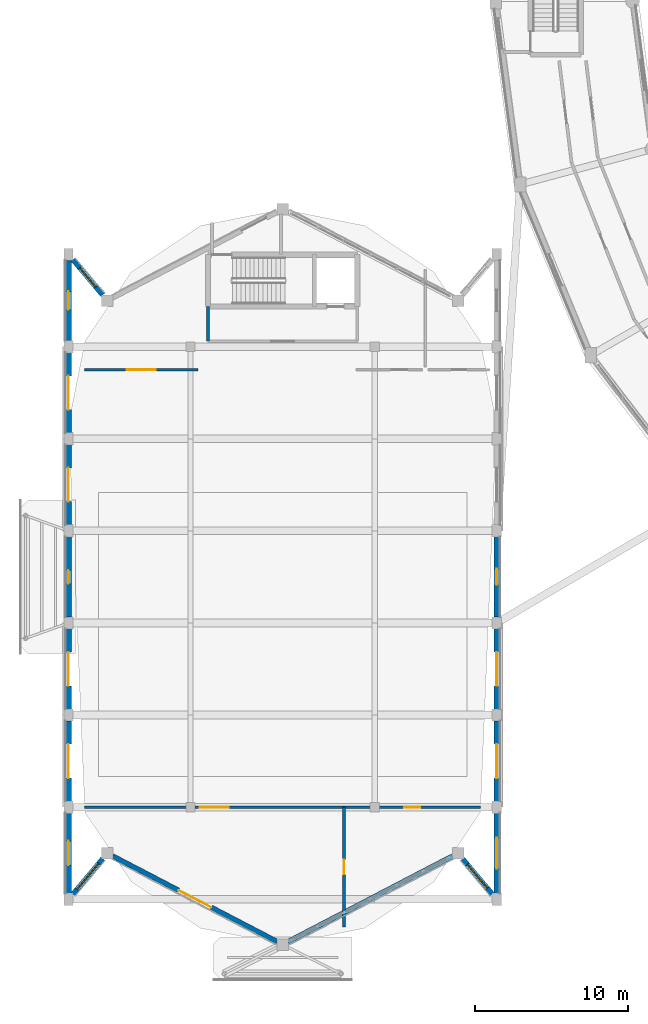
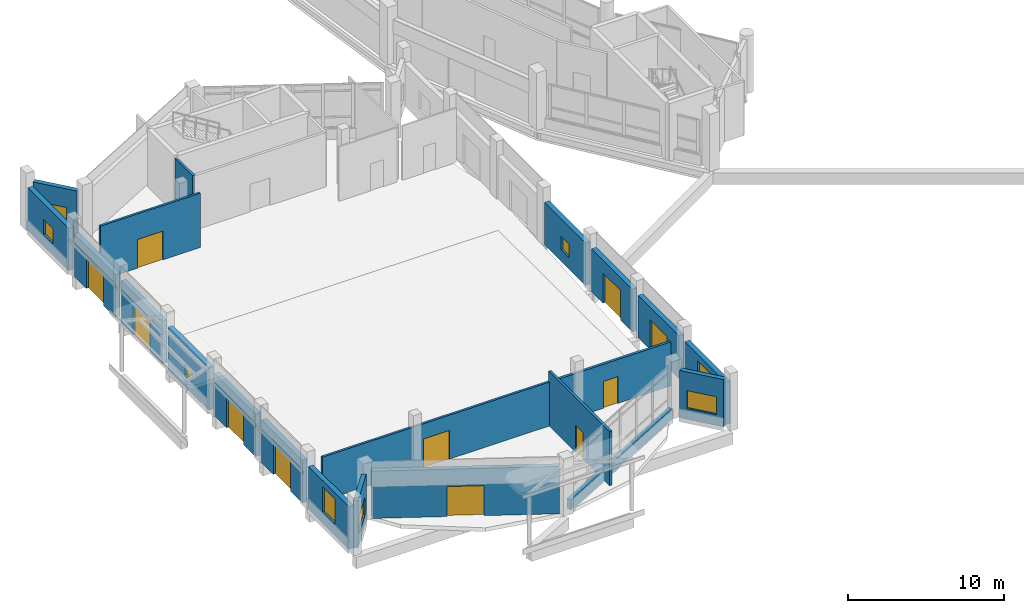
# One storey, part 105 of 129: 21 walls, 11 doors, 8 windows, 19 openings.
"""IFC4 building model written with IfcOpenShell, lengths in metres."""

from ifc_helpers import new_model, si_unit, direction, frame, frame_2d, origin, place, context, subcontext, project, spatial, rectangle, extrude, material, layer, layer_set, type_object, element, fill, save


model = new_model("IFC4")

# Units and contexts
model_context = context("Model", 3, precision=1e-05, world=origin(), true_north=direction((0.0, 1.0)))
body_context = subcontext(model_context, "Body", "Model", "MODEL_VIEW")
ifc_project = project(units=[si_unit("LENGTHUNIT", "METRE"), si_unit("AREAUNIT", "SQUARE_METRE"), si_unit("VOLUMEUNIT", "CUBIC_METRE"), si_unit("PLANEANGLEUNIT", "RADIAN"), si_unit("MASSUNIT", "GRAM", prefix="KILO")], contexts=[model_context])

# Site, building, storey
site_placement = place(None, origin())
site = spatial("IfcSite", under=ifc_project, at=site_placement, CompositionType="ELEMENT")
building_placement = place(site_placement, origin())
building = spatial("IfcBuilding", under=site, at=building_placement, Name="Vespera Passage Community Centre", CompositionType="ELEMENT")
storey_placement = place(building_placement, origin())
storey = spatial("IfcBuildingStorey", under=building, at=storey_placement, Name="L00", CompositionType="ELEMENT", Elevation=0.0)

# Wall
ifc_material_1 = material(Name="Gypsum board acoustic stud partition")
ifc_layer_1 = layer(ifc_material_1, 0.179931640625)
ifc_layer_set_1 = layer_set([ifc_layer_1], Name="Gypsum board acoustic stud partition")
wall_type_1 = type_object("IfcWallType", Name="WT-CORR-180I", PredefinedType="PARTITIONING", material=ifc_layer_set_1)
wall_1_placement = place(storey_placement, frame((13.135009765625, 45.610107421875, 0.0), z_axis=(0.0, 0.0, 1.0), x_axis=(0.0, -1.0, 0.0)))
element("IfcWall", 1, at=wall_1_placement, inside=storey, type_object=wall_type_1, Name="Core C5 L00 Lift Lobby Side Wall L", PredefinedType="PARTITIONING", context=body_context, shape_type="SweptSolid", body=[
    extrude(rectangle(XDim=2.25, YDim=0.179931640625, at=frame_2d((1.125, 0.0))), origin(), (0.0, 0.0, 1.0), 4.2548828125),
])

# Wall, opening, door
wall_2_placement = place(storey_placement, frame((22.0, 13.0, 0.0), z_axis=(0.0, 0.0, 1.0), x_axis=(1.0, 0.0, 0.0)))
wall_2 = element("IfcWall", 2, at=wall_2_placement, inside=storey, type_object=wall_type_1, Name="L00 Interior Partition V1-L00-FCR-N.1", PredefinedType="PARTITIONING", context=body_context, shape_type="SweptSolid", body=[
    extrude(rectangle(XDim=8.89990234375, YDim=0.179931640625, at=frame_2d((4.449951171875, 0.0))), origin(), (0.0, 0.0, 1.0), 3.445068359375),
])
opening_1_placement = place(wall_2_placement, frame((3.925048828125, 0.0, 0.0)))
opening_1 = element("IfcOpeningElement", 3, at=opening_1_placement, cuts=wall_2, Name="Opening DT-CORR-105", PredefinedType="OPENING", context=body_context, shape_type="SweptSolid", body=[
    extrude(rectangle(XDim=1.050048828125, YDim=2.10009765625, at=frame_2d((0.52490234375, 1.050048828125))), frame((0.0, 0.099853515625, 0.0), z_axis=(0.0, -1.0, 0.0), x_axis=(1.0, 0.0, 0.0)), (0.0, 0.0, 1.0), 0.199951171875),
])
ifc_material_2 = material(Name="Painted hollow-metal acoustic door", Category="steel")
door_type_1 = type_object("IfcDoorType", Name="DT-CORR-105", OperationType="NOTDEFINED", PredefinedType="DOOR", material=ifc_material_2)
door_1_placement = place(opening_1_placement, origin())
door_1 = element("IfcDoor", 4, at=door_1_placement, inside=storey, type_object=door_type_1, Name="L00 Interior Door D-330", OperationType="SINGLE_SWING_RIGHT", OverallHeight=2.10009765625, OverallWidth=1.050048828125, PredefinedType="DOOR", context=body_context, shape_type="SweptSolid", body=[
    extrude(rectangle(XDim=1.050048828125, YDim=2.10009765625, at=frame_2d((0.52490234375, 1.050048828125))), frame((0.0, 0.02490234375, 0.0), z_axis=(0.0, -1.0, 0.0), x_axis=(1.0, 0.0, 0.0)), (0.0, 0.0, 1.0), 0.050048828125),
])
fill(opening_1, door_1)

wall_3_placement = place(storey_placement, frame((22.0, 5.199951171875, 0.0), z_axis=(0.0, 0.0, 1.0), x_axis=(0.0, 1.0, 0.0)))
wall_3 = element("IfcWall", 5, at=wall_3_placement, inside=storey, type_object=wall_type_1, Name="L00 Interior Partition V1-L00-FCR-W.1", PredefinedType="PARTITIONING", context=body_context, shape_type="SweptSolid", body=[
    extrude(rectangle(XDim=7.800048828125, YDim=0.179931640625, at=frame_2d((3.89990234375, 0.0))), origin(), (0.0, 0.0, 1.0), 4.2548828125),
])
opening_2_placement = place(wall_3_placement, frame((3.425048828125, 0.0, 0.0)))
opening_2 = element("IfcOpeningElement", 6, at=opening_2_placement, cuts=wall_3, Name="Opening DT-CORR-95", PredefinedType="OPENING", context=body_context, shape_type="SweptSolid", body=[
    extrude(rectangle(XDim=0.949951171875, YDim=2.10009765625, at=frame_2d((0.47509765625, 1.050048828125))), frame((0.0, 0.099853515625, 0.0), z_axis=(0.0, -1.0, 0.0), x_axis=(1.0, 0.0, 0.0)), (0.0, 0.0, 1.0), 0.199951171875),
])
ifc_material_3 = material(Name="Painted hollow-metal acoustic door", Category="steel")
door_type_2 = type_object("IfcDoorType", Name="DT-CORR-95", OperationType="NOTDEFINED", PredefinedType="DOOR", material=ifc_material_3)
door_2_placement = place(opening_2_placement, origin())
door_2 = element("IfcDoor", 7, at=door_2_placement, inside=storey, type_object=door_type_2, Name="L00 Interior Door D-331", OperationType="SINGLE_SWING_LEFT", OverallHeight=2.10009765625, OverallWidth=0.949951171875, PredefinedType="DOOR", context=body_context, shape_type="SweptSolid", body=[
    extrude(rectangle(XDim=0.949951171875, YDim=2.10009765625, at=frame_2d((0.47509765625, 1.050048828125))), frame((0.0, 0.02490234375, 0.0), z_axis=(0.0, -1.0, 0.0), x_axis=(1.0, 0.0, 0.0)), (0.0, 0.0, 1.0), 0.050048828125),
])
fill(opening_2, door_2)

# Wall, opening, window
ifc_material_4 = material(Name="Precast concrete f'c 40 MPa", Category="concrete")
ifc_layer_2 = layer(ifc_material_4, 0.320068359375)
ifc_layer_set_2 = layer_set([ifc_layer_2], Name="Precast concrete f'c 40 MPa")
wall_type_2 = type_object("IfcWallType", Name="WT-EXT-320E", PredefinedType="STANDARD", material=ifc_layer_set_2)
wall_4_placement = place(storey_placement, frame((4.333984375, 48.66259765625, 0.0), z_axis=(0.0, 0.0, 1.0), x_axis=(0.643796278673, -0.765196936459, 0.0)))
wall_4 = element("IfcWall", 8, at=wall_4_placement, inside=storey, type_object=wall_type_2, Name="V1 L00 N Apse Wall 1", PredefinedType="STANDARD", context=body_context, shape_type="SweptSolid", body=[
    extrude(rectangle(XDim=3.012451171875, YDim=0.320068359375, at=frame_2d((1.50634765625, 0.0))), origin(), (0.0, 0.0, 1.0), 3.7099609375),
])
opening_3_placement = place(wall_4_placement, frame((0.706298828125, 0.0, 0.85009765625)))
opening_3 = element("IfcOpeningElement", 9, at=opening_3_placement, cuts=wall_4, Name="Opening WN-05E", PredefinedType="OPENING", context=body_context, shape_type="SweptSolid", body=[
    extrude(rectangle(XDim=1.60009765625, YDim=1.39990234375, at=frame_2d((0.800048828125, 0.699951171875))), frame((0.0, 0.170166015625, 0.0), z_axis=(0.0, -1.0, 0.0), x_axis=(1.0, 0.0, 0.0)), (0.0, 0.0, 1.0), 0.340087890625),
])
ifc_material_5 = material(Name="Low-E insulated vision glass", Category="glass")
window_type_1 = type_object("IfcWindowType", Name="WN-05E", PartitioningType="SINGLE_PANEL", PredefinedType="WINDOW", material=ifc_material_5)
window_1_placement = place(opening_3_placement, origin())
window_1 = element("IfcWindow", 10, at=window_1_placement, inside=storey, type_object=window_type_1, Name="Window WN-V1-L00-APN1", OverallHeight=1.39990234375, OverallWidth=1.60009765625, PartitioningType="SINGLE_PANEL", PredefinedType="WINDOW", context=body_context, shape_type="SweptSolid", body=[
    extrude(rectangle(XDim=1.60009765625, YDim=1.39990234375, at=frame_2d((0.800048828125, 0.699951171875))), frame((0.0, 0.030029296875, 0.0), z_axis=(0.0, -1.0, 0.0), x_axis=(1.0, 0.0, 0.0)), (0.0, 0.0, 1.0), 0.06005859375),
])
fill(opening_3, window_1)

wall_5_placement = place(storey_placement, frame((31.666015625, 7.33740234375, 0.0), z_axis=(0.0, 0.0, 1.0), x_axis=(-0.643796278673, 0.765196936459, 0.0)))
wall_5 = element("IfcWall", 11, at=wall_5_placement, inside=storey, type_object=wall_type_2, Name="V1 L00 S Apse Wall 1", PredefinedType="STANDARD", context=body_context, shape_type="SweptSolid", body=[
    extrude(rectangle(XDim=3.012451171875, YDim=0.320068359375, at=frame_2d((1.50634765625, 0.0))), origin(), (0.0, 0.0, 1.0), 3.7099609375),
])
opening_4_placement = place(wall_5_placement, frame((0.50634765625, 0.0, 0.85009765625)))
opening_4 = element("IfcOpeningElement", 12, at=opening_4_placement, cuts=wall_5, Name="Opening WN-07E", PredefinedType="OPENING", context=body_context, shape_type="SweptSolid", body=[
    extrude(rectangle(XDim=2.0, YDim=1.39990234375, at=frame_2d((1.0, 0.699951171875))), frame((0.0, 0.170166015625, 0.0), z_axis=(0.0, -1.0, 0.0), x_axis=(1.0, 0.0, 0.0)), (0.0, 0.0, 1.0), 0.340087890625),
])
ifc_material_6 = material(Name="Low-E insulated vision glass", Category="glass")
window_type_2 = type_object("IfcWindowType", Name="WN-07E", PartitioningType="SINGLE_PANEL", PredefinedType="WINDOW", material=ifc_material_6)
window_2_placement = place(opening_4_placement, origin())
window_2 = element("IfcWindow", 13, at=window_2_placement, inside=storey, type_object=window_type_2, Name="Window WN-V1-L00-APS1", OverallHeight=1.39990234375, OverallWidth=2.0, PartitioningType="SINGLE_PANEL", PredefinedType="WINDOW", context=body_context, shape_type="SweptSolid", body=[
    extrude(rectangle(XDim=2.0, YDim=1.39990234375, at=frame_2d((1.0, 0.699951171875))), frame((0.0, 0.030029296875, 0.0), z_axis=(0.0, -1.0, 0.0), x_axis=(1.0, 0.0, 0.0)), (0.0, 0.0, 1.0), 0.06005859375),
])
fill(opening_4, window_2)

# Wall
wall_6_placement = place(storey_placement, frame((29.074462890625, 9.81494140625, 0.0), z_axis=(0.0, 0.0, 1.0), x_axis=(-0.887012674584, -0.46174507591, 0.0)))
element("IfcWall", 14, at=wall_6_placement, inside=storey, type_object=wall_type_2, Name="V1 L00 S Apse Spandrel 2", PredefinedType="STANDARD", context=body_context, shape_type="SweptSolid", body=[
    extrude(rectangle(XDim=12.08740234375, YDim=0.320068359375, at=frame_2d((6.043701171875, 0.0))), origin(), (0.0, 0.0, 1.0), 0.800048828125),
])

# Wall, opening, door
wall_7_placement = place(storey_placement, frame((17.647216796875, 4.233642578125, 0.0), z_axis=(0.0, 0.0, 1.0), x_axis=(-0.887012674584, 0.46174507591, 0.0)))
wall_7 = element("IfcWall", 15, at=wall_7_placement, inside=storey, type_object=wall_type_2, Name="V1 L00 S Apse Wall 3", PredefinedType="STANDARD", context=body_context, shape_type="SweptSolid", body=[
    extrude(rectangle(XDim=12.08740234375, YDim=0.320068359375, at=frame_2d((6.043701171875, 0.0))), origin(), (0.0, 0.0, 1.0), 3.7099609375),
])
opening_5_placement = place(wall_7_placement, frame((4.843505859375, 0.0, 0.0)))
opening_5 = element("IfcOpeningElement", 16, at=opening_5_placement, cuts=wall_7, Name="Opening DT-E08", PredefinedType="OPENING", context=body_context, shape_type="SweptSolid", body=[
    extrude(rectangle(XDim=2.39990234375, YDim=2.35009765625, at=frame_2d((1.199951171875, 1.175048828125))), frame((0.0, 0.170166015625, 0.0), z_axis=(0.0, -1.0, 0.0), x_axis=(1.0, 0.0, 0.0)), (0.0, 0.0, 1.0), 0.340087890625),
])
ifc_material_7 = material(Name="Anodized aluminium 6063-T6", Category="aluminium")
door_type_3 = type_object("IfcDoorType", Name="DT-E08", OperationType="NOTDEFINED", PredefinedType="DOOR", material=ifc_material_7)
door_3_placement = place(opening_5_placement, origin())
door_3 = element("IfcDoor", 17, at=door_3_placement, inside=storey, type_object=door_type_3, Name="Main Hall South Foyer Exit Door", OperationType="SINGLE_SWING_LEFT", OverallHeight=2.35009765625, OverallWidth=2.39990234375, PredefinedType="DOOR", context=body_context, shape_type="SweptSolid", body=[
    extrude(rectangle(XDim=2.39990234375, YDim=2.35009765625, at=frame_2d((1.199951171875, 1.175048828125))), frame((0.0, 0.02490234375, 0.0), z_axis=(0.0, -1.0, 0.0), x_axis=(1.0, 0.0, 0.0)), (0.0, 0.0, 1.0), 0.050048828125),
])
fill(opening_5, door_3)

# Wall, opening, window
wall_8_placement = place(storey_placement, frame((6.2734375, 9.642578125, 0.0), z_axis=(0.0, 0.0, 1.0), x_axis=(-0.643796278673, -0.765196936459, 0.0)))
wall_8 = element("IfcWall", 18, at=wall_8_placement, inside=storey, type_object=wall_type_2, Name="V1 L00 S Apse Wall 4", PredefinedType="STANDARD", context=body_context, shape_type="SweptSolid", body=[
    extrude(rectangle(XDim=3.012451171875, YDim=0.320068359375, at=frame_2d((1.50634765625, 0.0))), origin(), (0.0, 0.0, 1.0), 3.7099609375),
])
opening_6_placement = place(wall_8_placement, frame((0.40625, 0.0, 0.85009765625)))
opening_6 = element("IfcOpeningElement", 19, at=opening_6_placement, cuts=wall_8, Name="Opening WN-08E", PredefinedType="OPENING", context=body_context, shape_type="SweptSolid", body=[
    extrude(rectangle(XDim=2.199951171875, YDim=1.39990234375, at=frame_2d((1.10009765625, 0.699951171875))), frame((0.0, 0.170166015625, 0.0), z_axis=(0.0, -1.0, 0.0), x_axis=(1.0, 0.0, 0.0)), (0.0, 0.0, 1.0), 0.340087890625),
])
ifc_material_8 = material(Name="Low-E insulated vision glass", Category="glass")
window_type_3 = type_object("IfcWindowType", Name="WN-08E", PartitioningType="SINGLE_PANEL", PredefinedType="WINDOW", material=ifc_material_8)
window_3_placement = place(opening_6_placement, origin())
window_3 = element("IfcWindow", 20, at=window_3_placement, inside=storey, type_object=window_type_3, Name="Window WN-V1-L00-APS4", OverallHeight=1.39990234375, OverallWidth=2.199951171875, PartitioningType="SINGLE_PANEL", PredefinedType="WINDOW", context=body_context, shape_type="SweptSolid", body=[
    extrude(rectangle(XDim=2.199951171875, YDim=1.39990234375, at=frame_2d((1.10009765625, 0.699951171875))), frame((0.0, 0.030029296875, 0.0), z_axis=(0.0, -1.0, 0.0), x_axis=(1.0, 0.0, 0.0)), (0.0, 0.0, 1.0), 0.06005859375),
])
fill(opening_6, window_3)

ifc_material_9 = material(Name="Precast concrete f'c 40 MPa", Category="concrete")
ifc_layer_3 = layer(ifc_material_9, 0.360107421875)
ifc_layer_set_3 = layer_set([ifc_layer_3], Name="Precast concrete f'c 40 MPa")
wall_type_3 = type_object("IfcWallType", Name="WT-EXT-360E", PredefinedType="STANDARD", material=ifc_layer_set_3)
wall_9_placement = place(storey_placement, frame((4.050048828125, 7.375, 0.0), z_axis=(0.0, 0.0, 1.0), x_axis=(0.0, 1.0, 0.0)))
wall_9 = element("IfcWall", 21, at=wall_9_placement, inside=storey, type_object=wall_type_3, Name="V1 L00 Facade Wall W1", PredefinedType="STANDARD", context=body_context, shape_type="SweptSolid", body=[
    extrude(rectangle(XDim=5.25, YDim=0.360107421875, at=frame_2d((2.625, 0.0))), origin(), (0.0, 0.0, 1.0), 3.344970703125),
])
opening_7_placement = place(wall_9_placement, frame((1.824951171875, 0.0, 0.89990234375)))
opening_7 = element("IfcOpeningElement", 22, at=opening_7_placement, cuts=wall_9, Name="Opening WN-26E", PredefinedType="OPENING", context=body_context, shape_type="SweptSolid", body=[
    extrude(rectangle(XDim=1.60009765625, YDim=1.949951171875, at=frame_2d((0.800048828125, 0.97509765625))), frame((0.0, 0.190185546875, 0.0), z_axis=(0.0, -1.0, 0.0), x_axis=(1.0, 0.0, 0.0)), (0.0, 0.0, 1.0), 0.380126953125),
])
ifc_material_10 = material(Name="Low-E insulated vision glass", Category="glass")
window_type_4 = type_object("IfcWindowType", Name="WN-26E", PartitioningType="SINGLE_PANEL", PredefinedType="WINDOW", material=ifc_material_10)
window_4_placement = place(opening_7_placement, origin())
window_4 = element("IfcWindow", 23, at=window_4_placement, inside=storey, type_object=window_type_4, Name="Window WN-V1-L00-W1", OverallHeight=1.949951171875, OverallWidth=1.60009765625, PartitioningType="SINGLE_PANEL", PredefinedType="WINDOW", context=body_context, shape_type="SweptSolid", body=[
    extrude(rectangle(XDim=1.60009765625, YDim=1.949951171875, at=frame_2d((0.800048828125, 0.97509765625))), frame((0.0, 0.030029296875, 0.0), z_axis=(0.0, -1.0, 0.0), x_axis=(1.0, 0.0, 0.0)), (0.0, 0.0, 1.0), 0.06005859375),
])
fill(opening_7, window_4)

wall_10_placement = place(storey_placement, frame((31.949951171875, 12.625, 0.0), z_axis=(0.0, 0.0, 1.0), x_axis=(0.0, -1.0, 0.0)))
wall_10 = element("IfcWall", 24, at=wall_10_placement, inside=storey, type_object=wall_type_3, Name="V1 L00 Facade Wall E1", PredefinedType="STANDARD", context=body_context, shape_type="SweptSolid", body=[
    extrude(rectangle(XDim=5.25, YDim=0.360107421875, at=frame_2d((2.625, 0.0))), origin(), (0.0, 0.0, 1.0), 3.344970703125),
])
opening_8_placement = place(wall_10_placement, frame((1.625, 0.0, 0.89990234375)))
opening_8 = element("IfcOpeningElement", 25, at=opening_8_placement, cuts=wall_10, Name="Opening WN-27E", PredefinedType="OPENING", context=body_context, shape_type="SweptSolid", body=[
    extrude(rectangle(XDim=2.0, YDim=1.949951171875, at=frame_2d((1.0, 0.97509765625))), frame((0.0, 0.190185546875, 0.0), z_axis=(0.0, -1.0, 0.0), x_axis=(1.0, 0.0, 0.0)), (0.0, 0.0, 1.0), 0.380126953125),
])
ifc_material_11 = material(Name="Low-E insulated vision glass", Category="glass")
window_type_5 = type_object("IfcWindowType", Name="WN-27E", PartitioningType="SINGLE_PANEL", PredefinedType="WINDOW", material=ifc_material_11)
window_5_placement = place(opening_8_placement, origin())
window_5 = element("IfcWindow", 26, at=window_5_placement, inside=storey, type_object=window_type_5, Name="Window WN-V1-L00-E1", OverallHeight=1.949951171875, OverallWidth=2.0, PartitioningType="SINGLE_PANEL", PredefinedType="WINDOW", context=body_context, shape_type="SweptSolid", body=[
    extrude(rectangle(XDim=2.0, YDim=1.949951171875, at=frame_2d((1.0, 0.97509765625))), frame((0.0, 0.030029296875, 0.0), z_axis=(0.0, -1.0, 0.0), x_axis=(1.0, 0.0, 0.0)), (0.0, 0.0, 1.0), 0.06005859375),
])
fill(opening_8, window_5)

# Wall, opening, door
wall_11_placement = place(storey_placement, frame((4.050048828125, 13.375, 0.0), z_axis=(0.0, 0.0, 1.0), x_axis=(0.0, 1.0, 0.0)))
wall_11 = element("IfcWall", 27, at=wall_11_placement, inside=storey, type_object=wall_type_3, Name="V1 L00 Facade Wall W2", PredefinedType="STANDARD", context=body_context, shape_type="SweptSolid", body=[
    extrude(rectangle(XDim=5.25, YDim=0.360107421875, at=frame_2d((2.625, 0.0))), origin(), (0.0, 0.0, 1.0), 3.344970703125),
])
opening_9_placement = place(wall_11_placement, frame((1.52490234375, 0.0, 0.0)))
opening_9 = element("IfcOpeningElement", 28, at=opening_9_placement, cuts=wall_11, Name="Opening DT-E07", PredefinedType="OPENING", context=body_context, shape_type="SweptSolid", body=[
    extrude(rectangle(XDim=2.199951171875, YDim=2.35009765625, at=frame_2d((1.10009765625, 1.175048828125))), frame((0.0, 0.190185546875, 0.0), z_axis=(0.0, -1.0, 0.0), x_axis=(1.0, 0.0, 0.0)), (0.0, 0.0, 1.0), 0.380126953125),
])
ifc_material_12 = material(Name="Anodized aluminium 6063-T6", Category="aluminium")
door_type_4 = type_object("IfcDoorType", Name="DT-E07", OperationType="NOTDEFINED", PredefinedType="DOOR", material=ifc_material_12)
door_4_placement = place(opening_9_placement, origin())
door_4 = element("IfcDoor", 29, at=door_4_placement, inside=storey, type_object=door_type_4, Name="Main Hall Exit Door W2", OperationType="SINGLE_SWING_RIGHT", OverallHeight=2.35009765625, OverallWidth=2.199951171875, PredefinedType="DOOR", context=body_context, shape_type="SweptSolid", body=[
    extrude(rectangle(XDim=2.199951171875, YDim=2.35009765625, at=frame_2d((1.10009765625, 1.175048828125))), frame((0.0, 0.02490234375, 0.0), z_axis=(0.0, -1.0, 0.0), x_axis=(1.0, 0.0, 0.0)), (0.0, 0.0, 1.0), 0.050048828125),
])
fill(opening_9, door_4)

wall_12_placement = place(storey_placement, frame((31.949951171875, 18.625, 0.0), z_axis=(0.0, 0.0, 1.0), x_axis=(0.0, -1.0, 0.0)))
wall_12 = element("IfcWall", 30, at=wall_12_placement, inside=storey, type_object=wall_type_3, Name="V1 L00 Facade Wall E2", PredefinedType="STANDARD", context=body_context, shape_type="SweptSolid", body=[
    extrude(rectangle(XDim=5.25, YDim=0.360107421875, at=frame_2d((2.625, 0.0))), origin(), (0.0, 0.0, 1.0), 3.344970703125),
])
opening_10_placement = place(wall_12_placement, frame((1.52490234375, 0.0, 0.0)))
opening_10 = element("IfcOpeningElement", 31, at=opening_10_placement, cuts=wall_12, Name="Opening DT-E07", PredefinedType="OPENING", context=body_context, shape_type="SweptSolid", body=[
    extrude(rectangle(XDim=2.199951171875, YDim=2.35009765625, at=frame_2d((1.10009765625, 1.175048828125))), frame((0.0, 0.190185546875, 0.0), z_axis=(0.0, -1.0, 0.0), x_axis=(1.0, 0.0, 0.0)), (0.0, 0.0, 1.0), 0.380126953125),
])
door_5_placement = place(opening_10_placement, origin())
door_5 = element("IfcDoor", 32, at=door_5_placement, inside=storey, type_object=door_type_4, Name="Main Hall Exit Door E2", OperationType="SINGLE_SWING_LEFT", OverallHeight=2.35009765625, OverallWidth=2.199951171875, PredefinedType="DOOR", context=body_context, shape_type="SweptSolid", body=[
    extrude(rectangle(XDim=2.199951171875, YDim=2.35009765625, at=frame_2d((1.10009765625, 1.175048828125))), frame((0.0, 0.02490234375, 0.0), z_axis=(0.0, -1.0, 0.0), x_axis=(1.0, 0.0, 0.0)), (0.0, 0.0, 1.0), 0.050048828125),
])
fill(opening_10, door_5)

wall_13_placement = place(storey_placement, frame((4.050048828125, 19.375, 0.0), z_axis=(0.0, 0.0, 1.0), x_axis=(0.0, 1.0, 0.0)))
wall_13 = element("IfcWall", 33, at=wall_13_placement, inside=storey, type_object=wall_type_3, Name="V1 L00 Facade Wall W3", PredefinedType="STANDARD", context=body_context, shape_type="SweptSolid", body=[
    extrude(rectangle(XDim=5.25, YDim=0.360107421875, at=frame_2d((2.625, 0.0))), origin(), (0.0, 0.0, 1.0), 3.344970703125),
])
opening_11_placement = place(wall_13_placement, frame((1.52490234375, 0.0, 0.0)))
opening_11 = element("IfcOpeningElement", 34, at=opening_11_placement, cuts=wall_13, Name="Opening DT-E07", PredefinedType="OPENING", context=body_context, shape_type="SweptSolid", body=[
    extrude(rectangle(XDim=2.199951171875, YDim=2.35009765625, at=frame_2d((1.10009765625, 1.175048828125))), frame((0.0, 0.190185546875, 0.0), z_axis=(0.0, -1.0, 0.0), x_axis=(1.0, 0.0, 0.0)), (0.0, 0.0, 1.0), 0.380126953125),
])
door_6_placement = place(opening_11_placement, origin())
door_6 = element("IfcDoor", 35, at=door_6_placement, inside=storey, type_object=door_type_4, Name="Main Hall Exit Door W3", OperationType="SINGLE_SWING_RIGHT", OverallHeight=2.35009765625, OverallWidth=2.199951171875, PredefinedType="DOOR", context=body_context, shape_type="SweptSolid", body=[
    extrude(rectangle(XDim=2.199951171875, YDim=2.35009765625, at=frame_2d((1.10009765625, 1.175048828125))), frame((0.0, 0.02490234375, 0.0), z_axis=(0.0, -1.0, 0.0), x_axis=(1.0, 0.0, 0.0)), (0.0, 0.0, 1.0), 0.050048828125),
])
fill(opening_11, door_6)

wall_14_placement = place(storey_placement, frame((31.949951171875, 24.625, 0.0), z_axis=(0.0, 0.0, 1.0), x_axis=(0.0, -1.0, 0.0)))
wall_14 = element("IfcWall", 36, at=wall_14_placement, inside=storey, type_object=wall_type_3, Name="V1 L00 Facade Wall E3", PredefinedType="STANDARD", context=body_context, shape_type="SweptSolid", body=[
    extrude(rectangle(XDim=5.25, YDim=0.360107421875, at=frame_2d((2.625, 0.0))), origin(), (0.0, 0.0, 1.0), 3.344970703125),
])
opening_12_placement = place(wall_14_placement, frame((1.52490234375, 0.0, 0.0)))
opening_12 = element("IfcOpeningElement", 37, at=opening_12_placement, cuts=wall_14, Name="Opening DT-E07", PredefinedType="OPENING", context=body_context, shape_type="SweptSolid", body=[
    extrude(rectangle(XDim=2.199951171875, YDim=2.35009765625, at=frame_2d((1.10009765625, 1.175048828125))), frame((0.0, 0.190185546875, 0.0), z_axis=(0.0, -1.0, 0.0), x_axis=(1.0, 0.0, 0.0)), (0.0, 0.0, 1.0), 0.380126953125),
])
door_7_placement = place(opening_12_placement, origin())
door_7 = element("IfcDoor", 38, at=door_7_placement, inside=storey, type_object=door_type_4, Name="Main Hall Exit Door E3", OperationType="SINGLE_SWING_LEFT", OverallHeight=2.35009765625, OverallWidth=2.199951171875, PredefinedType="DOOR", context=body_context, shape_type="SweptSolid", body=[
    extrude(rectangle(XDim=2.199951171875, YDim=2.35009765625, at=frame_2d((1.10009765625, 1.175048828125))), frame((0.0, 0.02490234375, 0.0), z_axis=(0.0, -1.0, 0.0), x_axis=(1.0, 0.0, 0.0)), (0.0, 0.0, 1.0), 0.050048828125),
])
fill(opening_12, door_7)

# Wall, opening, window
wall_15_placement = place(storey_placement, frame((4.050048828125, 25.375, 0.0), z_axis=(0.0, 0.0, 1.0), x_axis=(0.0, 1.0, 0.0)))
wall_15 = element("IfcWall", 39, at=wall_15_placement, inside=storey, type_object=wall_type_3, Name="V1 L00 Facade Wall W4", PredefinedType="STANDARD", context=body_context, shape_type="SweptSolid", body=[
    extrude(rectangle(XDim=5.25, YDim=0.360107421875, at=frame_2d((2.625, 0.0))), origin(), (0.0, 0.0, 1.0), 3.344970703125),
])
opening_13_placement = place(wall_15_placement, frame((2.175048828125, 0.0, 0.89990234375)))
opening_13 = element("IfcOpeningElement", 40, at=opening_13_placement, cuts=wall_15, Name="Opening WN-01E", PredefinedType="OPENING", context=body_context, shape_type="SweptSolid", body=[
    extrude(rectangle(XDim=0.89990234375, YDim=0.89990234375, at=frame_2d((0.449951171875, 0.449951171875))), frame((0.0, 0.190185546875, 0.0), z_axis=(0.0, -1.0, 0.0), x_axis=(1.0, 0.0, 0.0)), (0.0, 0.0, 1.0), 0.380126953125),
])
ifc_material_13 = material(Name="Low-E insulated vision glass", Category="glass")
window_type_6 = type_object("IfcWindowType", Name="WN-01E", PartitioningType="SINGLE_PANEL", PredefinedType="WINDOW", material=ifc_material_13)
window_6_placement = place(opening_13_placement, origin())
window_6 = element("IfcWindow", 41, at=window_6_placement, inside=storey, type_object=window_type_6, Name="Window WN-V1-L00-W4", OverallHeight=0.89990234375, OverallWidth=0.89990234375, PartitioningType="SINGLE_PANEL", PredefinedType="WINDOW", context=body_context, shape_type="SweptSolid", body=[
    extrude(rectangle(XDim=0.89990234375, YDim=0.89990234375, at=frame_2d((0.449951171875, 0.449951171875))), frame((0.0, 0.030029296875, 0.0), z_axis=(0.0, -1.0, 0.0), x_axis=(1.0, 0.0, 0.0)), (0.0, 0.0, 1.0), 0.06005859375),
])
fill(opening_13, window_6)

wall_16_placement = place(storey_placement, frame((31.949951171875, 30.625, 0.0), z_axis=(0.0, 0.0, 1.0), x_axis=(0.0, -1.0, 0.0)))
wall_16 = element("IfcWall", 42, at=wall_16_placement, inside=storey, type_object=wall_type_3, Name="V1 L00 Facade Wall E4", PredefinedType="STANDARD", context=body_context, shape_type="SweptSolid", body=[
    extrude(rectangle(XDim=5.25, YDim=0.360107421875, at=frame_2d((2.625, 0.0))), origin(), (0.0, 0.0, 1.0), 3.344970703125),
])
opening_14_placement = place(wall_16_placement, frame((2.10009765625, 0.0, 0.89990234375)))
opening_14 = element("IfcOpeningElement", 43, at=opening_14_placement, cuts=wall_16, Name="Opening WN-02E", PredefinedType="OPENING", context=body_context, shape_type="SweptSolid", body=[
    extrude(rectangle(XDim=1.050048828125, YDim=1.050048828125, at=frame_2d((0.52490234375, 0.52490234375))), frame((0.0, 0.190185546875, 0.0), z_axis=(0.0, -1.0, 0.0), x_axis=(1.0, 0.0, 0.0)), (0.0, 0.0, 1.0), 0.380126953125),
])
ifc_material_14 = material(Name="Low-E insulated vision glass", Category="glass")
window_type_7 = type_object("IfcWindowType", Name="WN-02E", PartitioningType="SINGLE_PANEL", PredefinedType="WINDOW", material=ifc_material_14)
window_7_placement = place(opening_14_placement, origin())
window_7 = element("IfcWindow", 44, at=window_7_placement, inside=storey, type_object=window_type_7, Name="Window WN-V1-L00-E4", OverallHeight=1.050048828125, OverallWidth=1.050048828125, PartitioningType="SINGLE_PANEL", PredefinedType="WINDOW", context=body_context, shape_type="SweptSolid", body=[
    extrude(rectangle(XDim=1.050048828125, YDim=1.050048828125, at=frame_2d((0.52490234375, 0.52490234375))), frame((0.0, 0.030029296875, 0.0), z_axis=(0.0, -1.0, 0.0), x_axis=(1.0, 0.0, 0.0)), (0.0, 0.0, 1.0), 0.06005859375),
])
fill(opening_14, window_7)

# Wall, opening, door
wall_17_placement = place(storey_placement, frame((4.050048828125, 31.375, 0.0), z_axis=(0.0, 0.0, 1.0), x_axis=(0.0, 1.0, 0.0)))
wall_17 = element("IfcWall", 45, at=wall_17_placement, inside=storey, type_object=wall_type_3, Name="V1 L00 Facade Wall W5", PredefinedType="STANDARD", context=body_context, shape_type="SweptSolid", body=[
    extrude(rectangle(XDim=5.25, YDim=0.360107421875, at=frame_2d((2.625, 0.0))), origin(), (0.0, 0.0, 1.0), 3.344970703125),
])
opening_15_placement = place(wall_17_placement, frame((1.52490234375, 0.0, 0.0)))
opening_15 = element("IfcOpeningElement", 46, at=opening_15_placement, cuts=wall_17, Name="Opening DT-E07", PredefinedType="OPENING", context=body_context, shape_type="SweptSolid", body=[
    extrude(rectangle(XDim=2.199951171875, YDim=2.35009765625, at=frame_2d((1.10009765625, 1.175048828125))), frame((0.0, 0.190185546875, 0.0), z_axis=(0.0, -1.0, 0.0), x_axis=(1.0, 0.0, 0.0)), (0.0, 0.0, 1.0), 0.380126953125),
])
door_8_placement = place(opening_15_placement, origin())
door_8 = element("IfcDoor", 47, at=door_8_placement, inside=storey, type_object=door_type_4, Name="Main Hall Exit Door W5", OperationType="SINGLE_SWING_RIGHT", OverallHeight=2.35009765625, OverallWidth=2.199951171875, PredefinedType="DOOR", context=body_context, shape_type="SweptSolid", body=[
    extrude(rectangle(XDim=2.199951171875, YDim=2.35009765625, at=frame_2d((1.10009765625, 1.175048828125))), frame((0.0, 0.02490234375, 0.0), z_axis=(0.0, -1.0, 0.0), x_axis=(1.0, 0.0, 0.0)), (0.0, 0.0, 1.0), 0.050048828125),
])
fill(opening_15, door_8)

wall_18_placement = place(storey_placement, frame((4.050048828125, 37.375, 0.0), z_axis=(0.0, 0.0, 1.0), x_axis=(0.0, 1.0, 0.0)))
wall_18 = element("IfcWall", 48, at=wall_18_placement, inside=storey, type_object=wall_type_3, Name="V1 L00 Facade Wall W6", PredefinedType="STANDARD", context=body_context, shape_type="SweptSolid", body=[
    extrude(rectangle(XDim=5.25, YDim=0.360107421875, at=frame_2d((2.625, 0.0))), origin(), (0.0, 0.0, 1.0), 3.344970703125),
])
opening_16_placement = place(wall_18_placement, frame((1.52490234375, 0.0, 0.0)))
opening_16 = element("IfcOpeningElement", 49, at=opening_16_placement, cuts=wall_18, Name="Opening DT-E07", PredefinedType="OPENING", context=body_context, shape_type="SweptSolid", body=[
    extrude(rectangle(XDim=2.199951171875, YDim=2.35009765625, at=frame_2d((1.10009765625, 1.175048828125))), frame((0.0, 0.190185546875, 0.0), z_axis=(0.0, -1.0, 0.0), x_axis=(1.0, 0.0, 0.0)), (0.0, 0.0, 1.0), 0.380126953125),
])
door_9_placement = place(opening_16_placement, origin())
door_9 = element("IfcDoor", 50, at=door_9_placement, inside=storey, type_object=door_type_4, Name="Main Hall Exit Door W6", OperationType="SINGLE_SWING_RIGHT", OverallHeight=2.35009765625, OverallWidth=2.199951171875, PredefinedType="DOOR", context=body_context, shape_type="SweptSolid", body=[
    extrude(rectangle(XDim=2.199951171875, YDim=2.35009765625, at=frame_2d((1.10009765625, 1.175048828125))), frame((0.0, 0.02490234375, 0.0), z_axis=(0.0, -1.0, 0.0), x_axis=(1.0, 0.0, 0.0)), (0.0, 0.0, 1.0), 0.050048828125),
])
fill(opening_16, door_9)

# Wall, opening, window
wall_19_placement = place(storey_placement, frame((4.050048828125, 43.375, 0.0), z_axis=(0.0, 0.0, 1.0), x_axis=(0.0, 1.0, 0.0)))
wall_19 = element("IfcWall", 51, at=wall_19_placement, inside=storey, type_object=wall_type_3, Name="V1 L00 Facade Wall W7", PredefinedType="STANDARD", context=body_context, shape_type="SweptSolid", body=[
    extrude(rectangle(XDim=5.25, YDim=0.360107421875, at=frame_2d((2.625, 0.0))), origin(), (0.0, 0.0, 1.0), 3.344970703125),
])
opening_17_placement = place(wall_19_placement, frame((2.02490234375, 0.0, 0.89990234375)))
opening_17 = element("IfcOpeningElement", 52, at=opening_17_placement, cuts=wall_19, Name="Opening WN-03E", PredefinedType="OPENING", context=body_context, shape_type="SweptSolid", body=[
    extrude(rectangle(XDim=1.199951171875, YDim=1.199951171875, at=frame_2d((0.60009765625, 0.60009765625))), frame((0.0, 0.190185546875, 0.0), z_axis=(0.0, -1.0, 0.0), x_axis=(1.0, 0.0, 0.0)), (0.0, 0.0, 1.0), 0.380126953125),
])
ifc_material_15 = material(Name="Low-E insulated vision glass", Category="glass")
window_type_8 = type_object("IfcWindowType", Name="WN-03E", PartitioningType="SINGLE_PANEL", PredefinedType="WINDOW", material=ifc_material_15)
window_8_placement = place(opening_17_placement, origin())
window_8 = element("IfcWindow", 53, at=window_8_placement, inside=storey, type_object=window_type_8, Name="Window WN-V1-L00-W7", OverallHeight=1.199951171875, OverallWidth=1.199951171875, PartitioningType="SINGLE_PANEL", PredefinedType="WINDOW", context=body_context, shape_type="SweptSolid", body=[
    extrude(rectangle(XDim=1.199951171875, YDim=1.199951171875, at=frame_2d((0.60009765625, 0.60009765625))), frame((0.0, 0.030029296875, 0.0), z_axis=(0.0, -1.0, 0.0), x_axis=(1.0, 0.0, 0.0)), (0.0, 0.0, 1.0), 0.06005859375),
])
fill(opening_17, window_8)

# Wall, opening, door
ifc_material_16 = material(Name="Gypsum board acoustic stud partition")
ifc_layer_4 = layer(ifc_material_16, 0.159912109375)
ifc_layer_set_4 = layer_set([ifc_layer_4], Name="Gypsum board acoustic stud partition")
wall_type_4 = type_object("IfcWallType", Name="WT-STC-160I", PredefinedType="PARTITIONING", material=ifc_layer_set_4)
wall_20_placement = place(storey_placement, frame((5.10009765625, 13.0, 0.0), z_axis=(0.0, 0.0, 1.0), x_axis=(1.0, 0.0, 0.0)))
wall_20 = element("IfcWall", 54, at=wall_20_placement, inside=storey, type_object=wall_type_4, Name="L00 Interior Partition V1-L00-FOYER.1", PredefinedType="PARTITIONING", context=body_context, shape_type="SweptSolid", body=[
    extrude(rectangle(XDim=16.89990234375, YDim=0.159912109375, at=frame_2d((8.449951171875, 0.0))), origin(), (0.0, 0.0, 1.0), 3.445068359375),
])
opening_18_placement = place(wall_20_placement, frame((7.5, 0.0, 0.0)))
opening_18 = element("IfcOpeningElement", 55, at=opening_18_placement, cuts=wall_20, Name="Opening DT-HALL-190", PredefinedType="OPENING", context=body_context, shape_type="SweptSolid", body=[
    extrude(rectangle(XDim=1.89990234375, YDim=2.25, at=frame_2d((0.949951171875, 1.125))), frame((0.0, 0.090087890625, 0.0), z_axis=(0.0, -1.0, 0.0), x_axis=(1.0, 0.0, 0.0)), (0.0, 0.0, 1.0), 0.179931640625),
])
ifc_material_17 = material(Name="Painted hollow-metal acoustic door", Category="steel")
door_type_5 = type_object("IfcDoorType", Name="DT-HALL-190", OperationType="NOTDEFINED", PredefinedType="DOOR", material=ifc_material_17)
door_10_placement = place(opening_18_placement, origin())
door_10 = element("IfcDoor", 56, at=door_10_placement, inside=storey, type_object=door_type_5, Name="L00 Interior Door D-329", OperationType="SINGLE_SWING_LEFT", OverallHeight=2.25, OverallWidth=1.89990234375, PredefinedType="DOOR", context=body_context, shape_type="SweptSolid", body=[
    extrude(rectangle(XDim=1.89990234375, YDim=2.25, at=frame_2d((0.949951171875, 1.125))), frame((0.0, 0.02490234375, 0.0), z_axis=(0.0, -1.0, 0.0), x_axis=(1.0, 0.0, 0.0)), (0.0, 0.0, 1.0), 0.050048828125),
])
fill(opening_18, door_10)

wall_21_placement = place(storey_placement, frame((5.10009765625, 41.5, 0.0), z_axis=(0.0, 0.0, 1.0), x_axis=(1.0, 0.0, 0.0)))
wall_21 = element("IfcWall", 57, at=wall_21_placement, inside=storey, type_object=wall_type_4, Name="L00 Interior Partition V1-L00-PRAYER.1", PredefinedType="PARTITIONING", context=body_context, shape_type="SweptSolid", body=[
    extrude(rectangle(XDim=7.39990234375, YDim=0.159912109375, at=frame_2d((3.699951171875, 0.0))), origin(), (0.0, 0.0, 1.0), 4.2548828125),
])
opening_19_placement = place(wall_21_placement, frame((2.75, 0.0, 0.0)))
opening_19 = element("IfcOpeningElement", 58, at=opening_19_placement, cuts=wall_21, Name="Opening DT-HALL-190", PredefinedType="OPENING", context=body_context, shape_type="SweptSolid", body=[
    extrude(rectangle(XDim=1.89990234375, YDim=2.25, at=frame_2d((0.949951171875, 1.125))), frame((0.0, 0.090087890625, 0.0), z_axis=(0.0, -1.0, 0.0), x_axis=(1.0, 0.0, 0.0)), (0.0, 0.0, 1.0), 0.179931640625),
])
door_11_placement = place(opening_19_placement, origin())
door_11 = element("IfcDoor", 59, at=door_11_placement, inside=storey, type_object=door_type_5, Name="L00 Interior Door D-332", OperationType="SINGLE_SWING_RIGHT", OverallHeight=2.25, OverallWidth=1.89990234375, PredefinedType="DOOR", context=body_context, shape_type="SweptSolid", body=[
    extrude(rectangle(XDim=1.89990234375, YDim=2.25, at=frame_2d((0.949951171875, 1.125))), frame((0.0, 0.02490234375, 0.0), z_axis=(0.0, -1.0, 0.0), x_axis=(1.0, 0.0, 0.0)), (0.0, 0.0, 1.0), 0.050048828125),
])
fill(opening_19, door_11)

save(model, "model.ifc")
